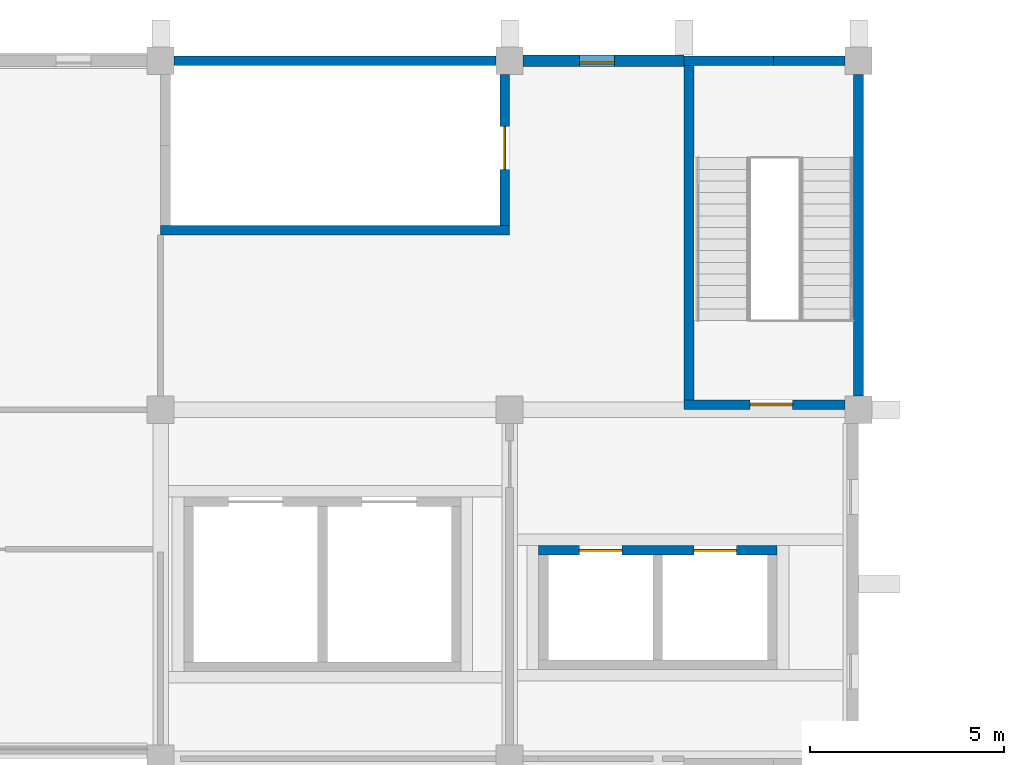
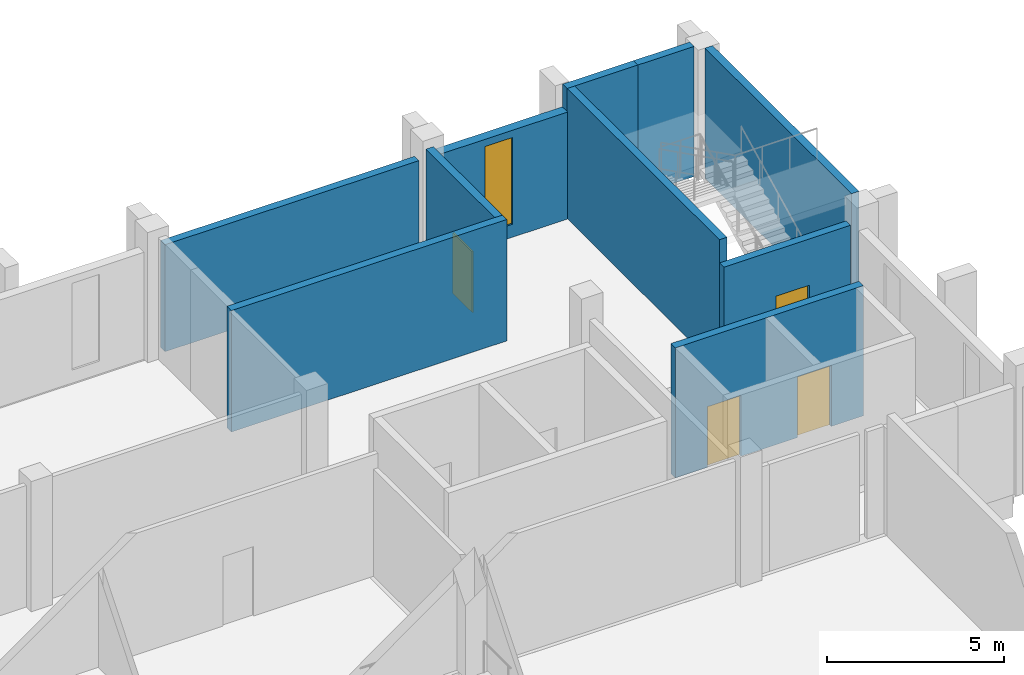
# One storey, part 27 of 40: 10 walls, 4 doors, 1 window, 5 openings.
"""IFC4 building model written with IfcOpenShell, lengths in metres."""

from ifc_helpers import new_model, si_unit, direction, frame, frame_2d, origin, place, context, subcontext, project, spatial, rectangle, extrude, material, layer, layer_set, type_object, element, fill, save


model = new_model("IFC4")

# Units and contexts
model_context = context("Model", 3, precision=1e-05, world=origin(), true_north=direction((0.0, 1.0)))
body_context = subcontext(model_context, "Body", "Model", "MODEL_VIEW")
ifc_project = project(units=[si_unit("LENGTHUNIT", "METRE"), si_unit("AREAUNIT", "SQUARE_METRE"), si_unit("VOLUMEUNIT", "CUBIC_METRE"), si_unit("PLANEANGLEUNIT", "RADIAN"), si_unit("MASSUNIT", "GRAM", prefix="KILO")], contexts=[model_context])

# Site, building, storey
site_placement = place(None, origin())
site = spatial("IfcSite", under=ifc_project, at=site_placement, CompositionType="ELEMENT")
building_placement = place(site_placement, origin())
building = spatial("IfcBuilding", under=site, at=building_placement, Name="Guidao Yard Department Store", CompositionType="ELEMENT")
storey_placement = place(building_placement, frame((0.0, 0.0, 24.0)))
storey = spatial("IfcBuildingStorey", under=building, at=storey_placement, Name="L05", CompositionType="ELEMENT", Elevation=24.0)

# Wall, opening, window
ifc_material_1 = material(Name="Concrete C35", Category="concrete")
ifc_layer_1 = layer(ifc_material_1, 0.300048828125)
ifc_layer_set_1 = layer_set([ifc_layer_1], Name="Hall facade wall 300 C35")
wall_type_1 = type_object("IfcWallType", Name="Hall facade wall 300 C35", PredefinedType="SOLIDWALL", material=ifc_layer_set_1)
wall_1_placement = place(storey_placement, frame((54.35009765625, 108.0, 0.0), z_axis=(0.0, 0.0, 1.0), x_axis=(1.0, 0.0, 0.0)))
wall_1 = element("IfcWall", 1, at=wall_1_placement, inside=storey, type_object=wall_type_1, Name="Hall facade wall", PredefinedType="SOLIDWALL", context=body_context, shape_type="SweptSolid", body=[
    extrude(rectangle(XDim=4.14990234375, YDim=0.300048828125, at=frame_2d((2.074951171875, 0.0))), origin(), (0.0, 0.0, 1.0), 3.699951171875),
])
opening_1_placement = place(wall_1_placement, frame((1.449951171875, 0.0, 0.449951171875)))
opening_1 = element("IfcOpeningElement", 2, at=opening_1_placement, cuts=wall_1, Name="Opening WN-L05-E18", PredefinedType="OPENING", context=body_context, shape_type="SweptSolid", body=[
    extrude(rectangle(XDim=0.89990234375, YDim=3.0, at=frame_2d((0.449951171875, 1.5))), frame((0.0, 0.159912109375, 0.0), z_axis=(0.0, -1.0, 0.0), x_axis=(1.0, 0.0, 0.0)), (0.0, 0.0, 1.0), 0.320068359375),
])
ifc_material_2 = material(Name="Laminated glass in aluminium frame", Category="aluminium")
window_type = type_object("IfcWindowType", Name="Slot window SL1 900 x 3000 fixed", PartitioningType="SINGLE_PANEL", PredefinedType="WINDOW", material=ifc_material_2)
window_placement = place(opening_1_placement, origin())
window = element("IfcWindow", 3, at=window_placement, inside=storey, type_object=window_type, Name="Slot window", OverallHeight=3.0, OverallWidth=0.89990234375, PartitioningType="SINGLE_PANEL", PredefinedType="WINDOW", context=body_context, shape_type="SweptSolid", body=[
    extrude(rectangle(XDim=0.89990234375, YDim=3.0, at=frame_2d((0.449951171875, 1.5))), frame((0.0, -0.030029296875, 0.0), z_axis=(0.0, -1.0, 0.0), x_axis=(1.0, 0.0, 0.0)), (0.0, 0.0, 1.0), 0.06005859375),
])
fill(opening_1, window)

# Wall, opening, door
ifc_material_3 = material(Name="Concrete C40", Category="concrete")
ifc_layer_2 = layer(ifc_material_3, 0.25)
ifc_layer_set_2 = layer_set([ifc_layer_2], Name="Wall RC 250 C40 stair and shaft")
wall_type_2 = type_object("IfcWallType", Name="Wall RC 250 C40 stair and shaft", PredefinedType="SHEAR", material=ifc_layer_set_2)
wall_2_placement = place(storey_placement, frame((58.5, 99.125, 0.0), z_axis=(0.0, 0.0, 1.0), x_axis=(1.0, 0.0, 0.0)))
wall_2 = element("IfcWall", 4, at=wall_2_placement, inside=storey, type_object=wall_type_2, Name="Stair wall SA6", PredefinedType="SHEAR", context=body_context, shape_type="SweptSolid", body=[
    extrude(rectangle(XDim=4.14990234375, YDim=0.25, at=frame_2d((2.074951171875, 0.0))), origin(), (0.0, 0.0, 1.0), 3.699951171875),
])
opening_2_placement = place(wall_2_placement, frame((1.699951171875, 0.0, 0.0)))
opening_2 = element("IfcOpeningElement", 5, at=opening_2_placement, cuts=wall_2, Name="Opening L05-805", PredefinedType="OPENING", context=body_context, shape_type="SweptSolid", body=[
    extrude(rectangle(XDim=1.10009765625, YDim=2.10009765625, at=frame_2d((0.550048828125, 1.050048828125))), frame((0.0, 0.135009765625, 0.0), z_axis=(0.0, -1.0, 0.0), x_axis=(1.0, 0.0, 0.0)), (0.0, 0.0, 1.0), 0.27001953125),
])
ifc_material_4 = material(Name="Steel Q235", Category="steel")
door_type_1 = type_object("IfcDoorType", Name="Door fire-resisting 1100 x 2100 FD60", OperationType="SINGLE_SWING_LEFT", PredefinedType="DOOR", material=ifc_material_4)
door_1_placement = place(opening_2_placement, origin())
door_1 = element("IfcDoor", 6, at=door_1_placement, inside=storey, type_object=door_type_1, Name="Stair A6 door L05", OperationType="SINGLE_SWING_RIGHT", OverallHeight=2.10009765625, OverallWidth=1.10009765625, PredefinedType="DOOR", context=body_context, shape_type="SweptSolid", body=[
    extrude(rectangle(XDim=1.10009765625, YDim=2.10009765625, at=frame_2d((0.550048828125, 1.050048828125))), frame((0.0, 0.02490234375, 0.0), z_axis=(0.0, -1.0, 0.0), x_axis=(1.0, 0.0, 0.0)), (0.0, 0.0, 1.0), 0.050048828125),
])
fill(opening_2, door_1)

# Walls
wall_3_placement = place(storey_placement, frame((58.5, 108.0, 0.0), z_axis=(0.0, 0.0, 1.0), x_axis=(1.0, 0.0, 0.0)))
element("IfcWall", 7, at=wall_3_placement, inside=storey, type_object=wall_type_2, Name="Stair wall SA6", PredefinedType="SHEAR", context=body_context, shape_type="SweptSolid", body=[
    extrude(rectangle(XDim=2.31201171875, YDim=0.25, at=frame_2d((1.156005859375, 0.0))), origin(), (0.0, 0.0, 1.0), 4.5),
])
wall_4_placement = place(storey_placement, frame((60.81201171875, 108.0, 0.0), z_axis=(0.0, 0.0, 1.0), x_axis=(1.0, 0.0, 0.0)))
element("IfcWall", 8, at=wall_4_placement, inside=storey, type_object=wall_type_2, Name="Stair wall SA6", PredefinedType="SHEAR", context=body_context, shape_type="SweptSolid", body=[
    extrude(rectangle(XDim=1.837890625, YDim=0.25, at=frame_2d((0.9189453125, 0.0))), origin(), (0.0, 0.0, 1.0), 4.5),
])
wall_5_placement = place(storey_placement, frame((58.625, 99.25, 0.0), z_axis=(0.0, 0.0, 1.0), x_axis=(0.0, 1.0, 0.0)))
element("IfcWall", 9, at=wall_5_placement, inside=storey, type_object=wall_type_2, Name="Stair wall SA6", PredefinedType="SHEAR", context=body_context, shape_type="SweptSolid", body=[
    extrude(rectangle(XDim=8.625, YDim=0.25, at=frame_2d((4.3125, 0.0))), origin(), (0.0, 0.0, 1.0), 4.5),
])
wall_6_placement = place(storey_placement, frame((63.0, 99.35009765625, 0.0), z_axis=(0.0, 0.0, 1.0), x_axis=(0.0, 1.0, 0.0)))
element("IfcWall", 10, at=wall_6_placement, inside=storey, type_object=wall_type_2, Name="Stair wall SA6", PredefinedType="SHEAR", context=body_context, shape_type="SweptSolid", body=[
    extrude(rectangle(XDim=8.2998046875, YDim=0.25, at=frame_2d((4.14990234375, 0.0))), origin(), (0.0, 0.0, 1.0), 4.5),
])
wall_7_placement = place(storey_placement, frame((45.0, 103.625, 0.0), z_axis=(0.0, 0.0, 1.0), x_axis=(1.0, 0.0, 0.0)))
element("IfcWall", 11, at=wall_7_placement, inside=storey, type_object=wall_type_2, Name="Stair wall SA7", PredefinedType="SHEAR", context=body_context, shape_type="SweptSolid", body=[
    extrude(rectangle(XDim=9.0, YDim=0.25, at=frame_2d((4.5, 0.0))), origin(), (0.0, 0.0, 1.0), 4.199951171875),
])
wall_8_placement = place(storey_placement, frame((45.35009765625, 108.0, 0.0), z_axis=(0.0, 0.0, 1.0), x_axis=(1.0, 0.0, 0.0)))
element("IfcWall", 12, at=wall_8_placement, inside=storey, type_object=wall_type_2, Name="Stair wall SA7", PredefinedType="SHEAR", context=body_context, shape_type="SweptSolid", body=[
    extrude(rectangle(XDim=8.2998046875, YDim=0.25, at=frame_2d((4.14990234375, 0.0))), origin(), (0.0, 0.0, 1.0), 3.699951171875),
])

# Wall, opening, door
wall_9_placement = place(storey_placement, frame((53.875, 103.75, 0.0), z_axis=(0.0, 0.0, 1.0), x_axis=(0.0, 1.0, 0.0)))
wall_9 = element("IfcWall", 13, at=wall_9_placement, inside=storey, type_object=wall_type_2, Name="Stair wall SA7", PredefinedType="SHEAR", context=body_context, shape_type="SweptSolid", body=[
    extrude(rectangle(XDim=3.89990234375, YDim=0.25, at=frame_2d((1.949951171875, 0.0))), origin(), (0.0, 0.0, 1.0), 4.199951171875),
])
opening_3_placement = place(wall_9_placement, frame((1.449951171875, 0.0, 0.0)))
opening_3 = element("IfcOpeningElement", 14, at=opening_3_placement, cuts=wall_9, Name="Opening L05-806", PredefinedType="OPENING", context=body_context, shape_type="SweptSolid", body=[
    extrude(rectangle(XDim=1.10009765625, YDim=2.10009765625, at=frame_2d((0.550048828125, 1.050048828125))), frame((0.0, 0.135009765625, 0.0), z_axis=(0.0, -1.0, 0.0), x_axis=(1.0, 0.0, 0.0)), (0.0, 0.0, 1.0), 0.27001953125),
])
door_2_placement = place(opening_3_placement, origin())
door_2 = element("IfcDoor", 15, at=door_2_placement, inside=storey, type_object=door_type_1, Name="Stair A7 door L05", OperationType="SINGLE_SWING_RIGHT", OverallHeight=2.10009765625, OverallWidth=1.10009765625, PredefinedType="DOOR", context=body_context, shape_type="SweptSolid", body=[
    extrude(rectangle(XDim=1.10009765625, YDim=2.10009765625, at=frame_2d((0.550048828125, 1.050048828125))), frame((0.0, 0.02490234375, 0.0), z_axis=(0.0, -1.0, 0.0), x_axis=(1.0, 0.0, 0.0)), (0.0, 0.0, 1.0), 0.050048828125),
])
fill(opening_3, door_2)

# Wall, openings, doors
wall_10_placement = place(storey_placement, frame((54.75, 95.375, 0.0), z_axis=(0.0, 0.0, 1.0), x_axis=(1.0, 0.0, 0.0)))
wall_10 = element("IfcWall", 16, at=wall_10_placement, inside=storey, type_object=wall_type_2, Name="Lift shaft wall HF1 to HF2", PredefinedType="SHEAR", context=body_context, shape_type="SweptSolid", body=[
    extrude(rectangle(XDim=6.14990234375, YDim=0.25, at=frame_2d((3.074951171875, 0.0))), origin(), (0.0, 0.0, 1.0), 4.5),
])
opening_4_placement = place(wall_10_placement, frame((1.050048828125, 0.0, 0.0)))
opening_4 = element("IfcOpeningElement", 17, at=opening_4_placement, cuts=wall_10, Name="Opening LD-HF1-L05", PredefinedType="OPENING", context=body_context, shape_type="SweptSolid", body=[
    extrude(rectangle(XDim=1.10009765625, YDim=2.10009765625, at=frame_2d((0.550048828125, 1.050048828125))), frame((0.0, 0.135009765625, 0.0), z_axis=(0.0, -1.0, 0.0), x_axis=(1.0, 0.0, 0.0)), (0.0, 0.0, 1.0), 0.27001953125),
])
opening_5_placement = place(wall_10_placement, frame((4.0, 0.0, 0.0)))
opening_5 = element("IfcOpeningElement", 18, at=opening_5_placement, cuts=wall_10, Name="Opening LD-HF2-L05", PredefinedType="OPENING", context=body_context, shape_type="SweptSolid", body=[
    extrude(rectangle(XDim=1.10009765625, YDim=2.10009765625, at=frame_2d((0.550048828125, 1.050048828125))), frame((0.0, 0.135009765625, 0.0), z_axis=(0.0, -1.0, 0.0), x_axis=(1.0, 0.0, 0.0)), (0.0, 0.0, 1.0), 0.27001953125),
])
ifc_material_5 = material(Name="Stainless steel 06Cr19Ni10", Category="steel")
door_type_2 = type_object("IfcDoorType", Name="Lift landing door fire-resisting sliding 1100 x 2100", OperationType="DOUBLE_DOOR_SLIDING", PredefinedType="DOOR", material=ifc_material_5)
door_3_placement = place(opening_4_placement, origin())
door_3 = element("IfcDoor", 19, at=door_3_placement, inside=storey, type_object=door_type_2, Name="Lift landing door HF1 L05", OperationType="DOUBLE_DOOR_SLIDING", OverallHeight=2.10009765625, OverallWidth=1.10009765625, PredefinedType="DOOR", context=body_context, shape_type="SweptSolid", body=[
    extrude(rectangle(XDim=1.10009765625, YDim=2.10009765625, at=frame_2d((0.550048828125, 1.050048828125))), frame((0.0, 0.02490234375, 0.0), z_axis=(0.0, -1.0, 0.0), x_axis=(1.0, 0.0, 0.0)), (0.0, 0.0, 1.0), 0.050048828125),
])
fill(opening_4, door_3)
door_4_placement = place(opening_5_placement, origin())
door_4 = element("IfcDoor", 20, at=door_4_placement, inside=storey, type_object=door_type_2, Name="Lift landing door HF2 L05", OperationType="DOUBLE_DOOR_SLIDING", OverallHeight=2.10009765625, OverallWidth=1.10009765625, PredefinedType="DOOR", context=body_context, shape_type="SweptSolid", body=[
    extrude(rectangle(XDim=1.10009765625, YDim=2.10009765625, at=frame_2d((0.550048828125, 1.050048828125))), frame((0.0, 0.02490234375, 0.0), z_axis=(0.0, -1.0, 0.0), x_axis=(1.0, 0.0, 0.0)), (0.0, 0.0, 1.0), 0.050048828125),
])
fill(opening_5, door_4)

save(model, "model.ifc")
